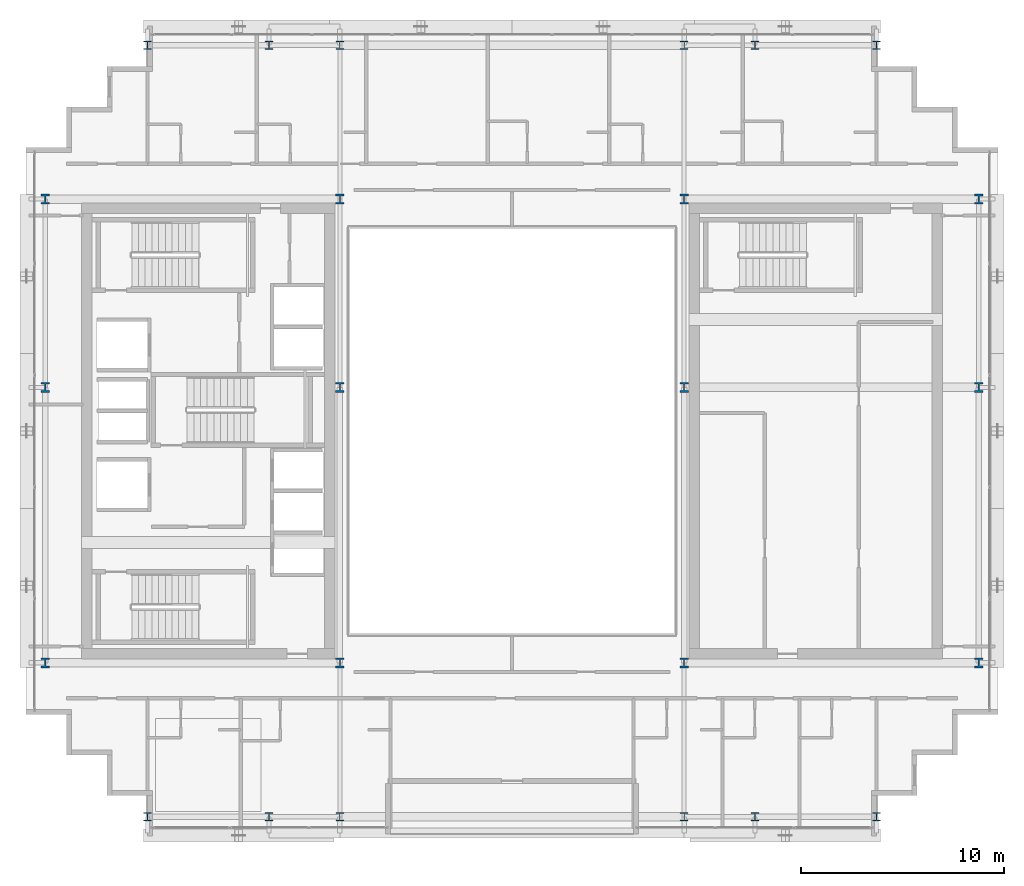
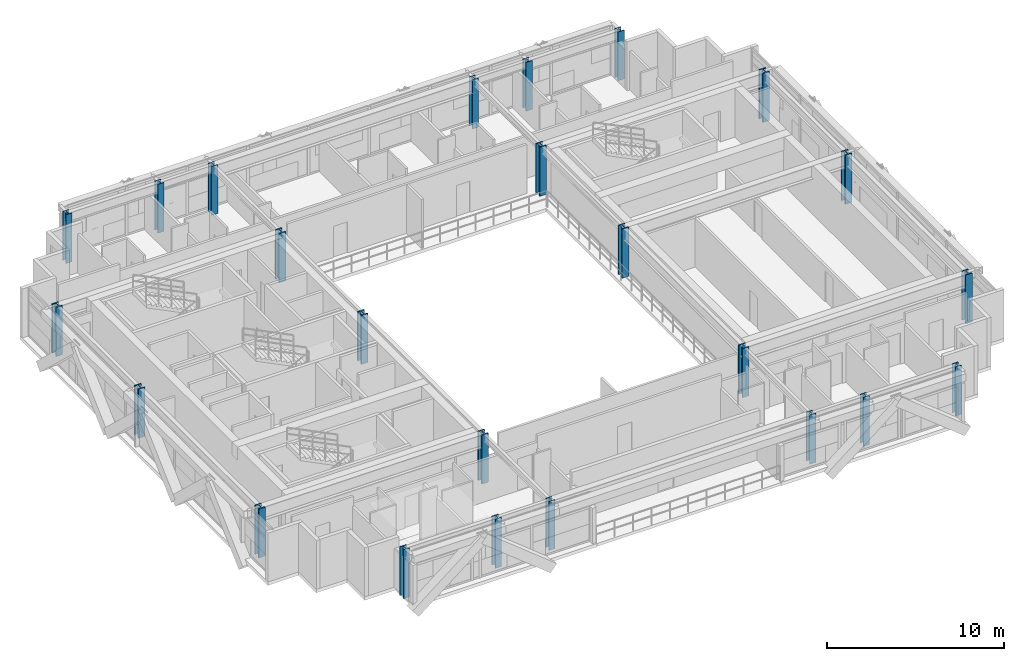
# One storey, part 1 of 31: 24 columns.
"""IFC4 building model written with IfcOpenShell, lengths in metres."""

from ifc_helpers import new_model, si_unit, direction, frame, origin, origin_2d, place, context, subcontext, project, spatial, i_section, extrude, source, transform, mapped, material, material_profile, profile_set, type_object, element, save


model = new_model("IFC4")

# Units and contexts
model_context = context("Model", 3, precision=1e-05, world=origin(), true_north=direction((0.0, 1.0)))
body_context = subcontext(model_context, "Body", "Model", "MODEL_VIEW")
ifc_project = project(units=[si_unit("LENGTHUNIT", "METRE"), si_unit("AREAUNIT", "SQUARE_METRE"), si_unit("VOLUMEUNIT", "CUBIC_METRE"), si_unit("PLANEANGLEUNIT", "RADIAN"), si_unit("MASSUNIT", "GRAM", prefix="KILO")], contexts=[model_context])

# Site, building, storey
site_placement = place(None, origin())
site = spatial("IfcSite", under=ifc_project, at=site_placement, CompositionType="ELEMENT")
building_placement = place(site_placement, origin())
building = spatial("IfcBuilding", under=site, at=building_placement, Name="Ocotamira Hotel", CompositionType="ELEMENT")
storey_placement = place(building_placement, frame((0.0, 0.0, 202.800048828125)))
storey = spatial("IfcBuildingStorey", under=building, at=storey_placement, Name="L51", CompositionType="ELEMENT", Elevation=202.800048828125)

# Columns
ifc_material = material(Name="Steel ASTM A913 Grade 65", Category="steel")
ifc_material_profile_1 = material_profile(ifc_material, i_section(OverallWidth=0.431884765625, OverallDepth=0.498046875, WebThickness=0.0556640625, FlangeThickness=0.0888671875, FilletRadius=0.02490234375, at=origin_2d()), Name="W14X500")
ifc_profile_set_1 = profile_set([ifc_material_profile_1], Name="Steel ASTM A913 Grade 65")
column_type_1 = type_object("IfcColumnType", Name="COL-W14X500", PredefinedType="COLUMN", material=ifc_profile_set_1)
shared_shape_1 = source(origin(), body_context, "Body", "SweptSolid", [
    extrude(i_section(OverallWidth=0.431884765625, OverallDepth=0.498046875, WebThickness=0.0556640625, FlangeThickness=0.0888671875, FilletRadius=0.02490234375, at=origin_2d()), origin(), (0.0, 0.0, 1.0), 3.369873046875),
])
for number, where, z_axis, x_axis, name in (
    (1, (8.949951171875, 14.550048828125, 0.0), (0.0, 0.0, 1.0), (1.0, 0.0, 0.0), "L51 Column TW8_14"),
    (2, (23.5, 14.550048828125, 0.0), (0.0, 0.0, 1.0), (1.0, 0.0, 0.0), "L51 Column TW23_14"),
    (3, (40.5, 14.550048828125, 0.0), (0.0, 0.0, 1.0), (1.0, 0.0, 0.0), "L51 Column TE40_14"),
    (4, (55.050048828125, 14.550048828125, 0.0), (0.0, 0.0, 1.0), (1.0, 0.0, 0.0), "L51 Column TE55_14"),
    (5, (8.949951171875, 28.14990234375, 0.0), (0.0, 0.0, 1.0), (1.0, 0.0, 0.0), "L51 Column TW8_28"),
    (6, (23.5, 28.14990234375, 0.0), (0.0, 0.0, 1.0), (1.0, 0.0, 0.0), "L51 Column TW23_28"),
    (7, (40.5, 28.14990234375, 0.0), (0.0, 0.0, 1.0), (1.0, 0.0, 0.0), "L51 Column TE40_28"),
    (8, (55.050048828125, 28.14990234375, 0.0), (0.0, 0.0, 1.0), (1.0, 0.0, 0.0), "L51 Column TE55_28"),
    (9, (8.949951171875, 37.449951171875, 0.0), (0.0, 0.0, 1.0), (1.0, 0.0, 0.0), "L51 Column TW8_37"),
    (10, (23.5, 37.449951171875, 0.0), (0.0, 0.0, 1.0), (1.0, 0.0, 0.0), "L51 Column TW23_37"),
    (11, (40.5, 37.449951171875, 0.0), (0.0, 0.0, 1.0), (1.0, 0.0, 0.0), "L51 Column TE40_37"),
    (12, (55.050048828125, 37.449951171875, 0.0), (0.0, 0.0, 1.0), (1.0, 0.0, 0.0), "L51 Column TE55_37"),
):
    element("IfcColumn", number, at=place(storey_placement, frame(where, z_axis=z_axis, x_axis=x_axis)), inside=storey, type_object=column_type_1, Name=name, PredefinedType="COLUMN", context=body_context, shape_type="MappedRepresentation", body=[
        mapped(shared_shape_1, transform((0.0, 0.0, 0.0), scale=1.0)),
    ])
ifc_material_profile_2 = material_profile(ifc_material, i_section(OverallWidth=0.404052734375, OverallDepth=0.406982421875, WebThickness=0.027099609375, FlangeThickness=0.043701171875, FilletRadius=0.02490234375, at=origin_2d()), Name="W14X233")
ifc_profile_set_2 = profile_set([ifc_material_profile_2], Name="Steel ASTM A913 Grade 65")
column_type_2 = type_object("IfcColumnType", Name="COL-W14X233", PredefinedType="COLUMN", material=ifc_profile_set_2)
shared_shape_2 = source(origin(), body_context, "Body", "SweptSolid", [
    extrude(i_section(OverallWidth=0.404052734375, OverallDepth=0.406982421875, WebThickness=0.027099609375, FlangeThickness=0.043701171875, FilletRadius=0.02490234375, at=origin_2d()), origin(), (0.0, 0.0, 1.0), 3.369873046875),
])
for number, where, z_axis, x_axis, name in (
    (13, (14.0, 6.949951171875, 0.0), (0.0, 0.0, 1.0), (1.0, 0.0, 0.0), "L51 Column NSP1_14"),
    (14, (20.0, 6.949951171875, 0.0), (0.0, 0.0, 1.0), (1.0, 0.0, 0.0), "L51 Column NSP1_20"),
    (15, (23.5, 6.949951171875, 0.0), (0.0, 0.0, 1.0), (1.0, 0.0, 0.0), "L51 Column NSP1_23"),
    (16, (40.5, 6.949951171875, 0.0), (0.0, 0.0, 1.0), (1.0, 0.0, 0.0), "L51 Column NSP1_40"),
    (17, (44.0, 6.949951171875, 0.0), (0.0, 0.0, 1.0), (1.0, 0.0, 0.0), "L51 Column NSP1_44"),
    (18, (50.0, 6.949951171875, 0.0), (0.0, 0.0, 1.0), (1.0, 0.0, 0.0), "L51 Column NSP1_50"),
    (19, (14.0, 45.050048828125, 0.0), (0.0, 0.0, 1.0), (1.0, 0.0, 0.0), "L51 Column NSP2_14"),
    (20, (20.0, 45.050048828125, 0.0), (0.0, 0.0, 1.0), (1.0, 0.0, 0.0), "L51 Column NSP2_20"),
    (21, (23.5, 45.050048828125, 0.0), (0.0, 0.0, 1.0), (1.0, 0.0, 0.0), "L51 Column NSP2_23"),
    (22, (40.5, 45.050048828125, 0.0), (0.0, 0.0, 1.0), (1.0, 0.0, 0.0), "L51 Column NSP2_40"),
    (23, (44.0, 45.050048828125, 0.0), (0.0, 0.0, 1.0), (1.0, 0.0, 0.0), "L51 Column NSP2_44"),
    (24, (50.0, 45.050048828125, 0.0), (0.0, 0.0, 1.0), (1.0, 0.0, 0.0), "L51 Column NSP2_50"),
):
    element("IfcColumn", number, at=place(storey_placement, frame(where, z_axis=z_axis, x_axis=x_axis)), inside=storey, type_object=column_type_2, Name=name, PredefinedType="COLUMN", context=body_context, shape_type="MappedRepresentation", body=[
        mapped(shared_shape_2, transform((0.0, 0.0, 0.0), scale=1.0)),
    ])

save(model, "model.ifc")
